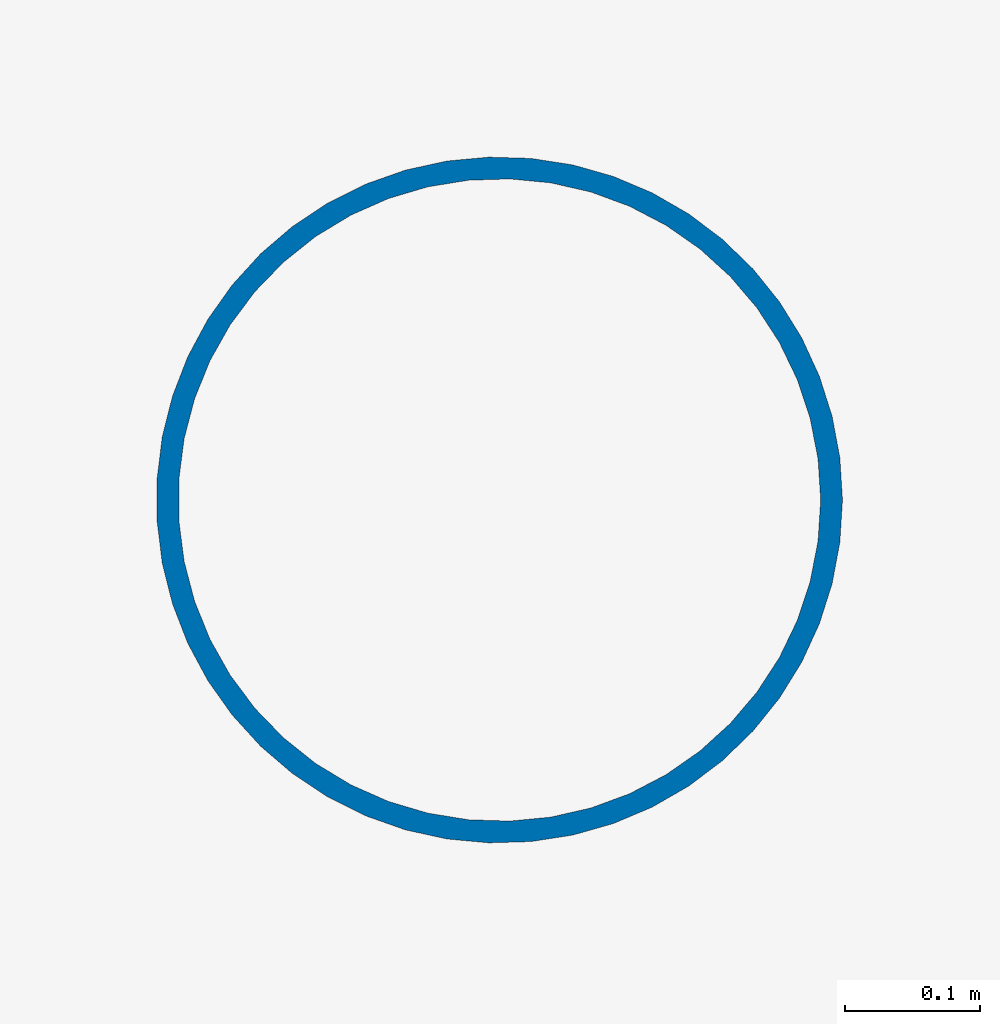
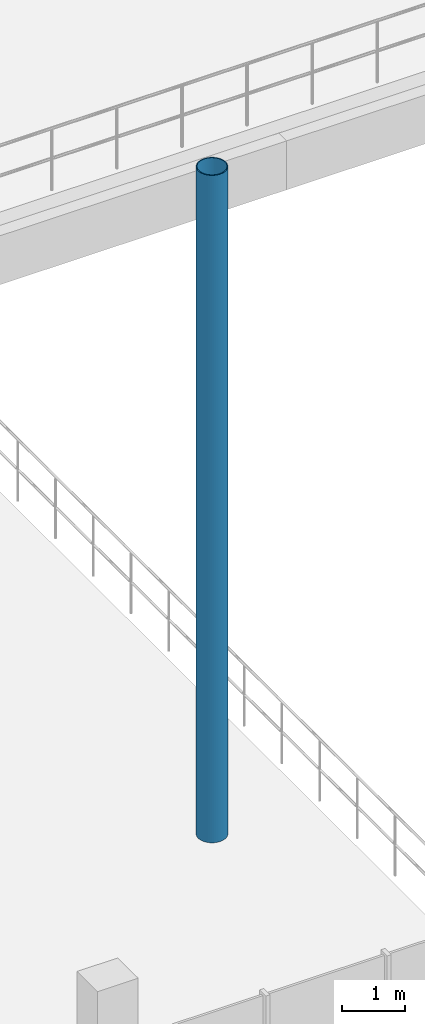
# One storey, part 2 of 123: 1 column.
"""IFC4 building model written with IfcOpenShell, lengths in metres."""

from ifc_helpers import new_model, si_unit, derived_unit, direction, frame, origin, origin_2d, place, context, subcontext, project, spatial, hollow_circle, extrude, material, material_profile, profile_set, type_object, element, save


model = new_model("IFC4")

# Units and contexts
model_context = context("Model", 3, precision=1e-05, world=origin(), true_north=direction((0.0, 1.0)))
body_context = subcontext(model_context, "Body", "Model", "MODEL_VIEW")
ifc_project = project(units=[si_unit("LENGTHUNIT", "METRE"), si_unit("AREAUNIT", "SQUARE_METRE"), si_unit("VOLUMEUNIT", "CUBIC_METRE"), si_unit("PLANEANGLEUNIT", "RADIAN"), si_unit("MASSUNIT", "GRAM", prefix="KILO"), si_unit("THERMODYNAMICTEMPERATUREUNIT", "KELVIN"), derived_unit("THERMALTRANSMITTANCEUNIT", [(si_unit("POWERUNIT", "WATT"), 1), (si_unit("AREAUNIT", "SQUARE_METRE"), -1), (si_unit("THERMODYNAMICTEMPERATUREUNIT", "KELVIN"), -1)])], contexts=[model_context])

# Site, building, storey
site_placement = place(None, origin())
site = spatial("IfcSite", under=ifc_project, at=site_placement, CompositionType="ELEMENT")
building_placement = place(site_placement, origin())
building = spatial("IfcBuilding", under=site, at=building_placement, Name="Haiyu Intermodal Mobility Hub", CompositionType="ELEMENT")
storey_placement = place(building_placement, frame((0.0, 0.0, 5.60009765625)))
storey = spatial("IfcBuildingStorey", under=building, at=storey_placement, Name="L01", CompositionType="ELEMENT", Elevation=5.60009765625)

# Column
ifc_material = material(Name="Steel Q355C", Category="steel")
ifc_material_profile = material_profile(ifc_material, hollow_circle(Radius=0.25390625, WallThickness=0.01611328125, at=origin_2d()), Name="CHS508x16")
ifc_profile_set = profile_set([ifc_material_profile], Name="Steel Q355C")
column_type = type_object("IfcColumnType", Name="COL-SC02-EXT", PredefinedType="COLUMN", material=ifc_profile_set)
column_placement = place(storey_placement, frame((76.179931640625, 47.383056640625, 0.0), z_axis=(0.0, 0.0, 1.0), x_axis=(1.0, 0.0, 0.0)))
element("IfcColumn", 1, at=column_placement, inside=storey, type_object=column_type, Name="Column RCOL-16 L01", PredefinedType="COLUMN", context=body_context, shape_type="SweptSolid", body=[
    extrude(hollow_circle(Radius=0.25390625, WallThickness=0.01611328125, at=origin_2d()), origin(), (0.0, 0.0, 1.0), 12.9599609375),
])

save(model, "model.ifc")
